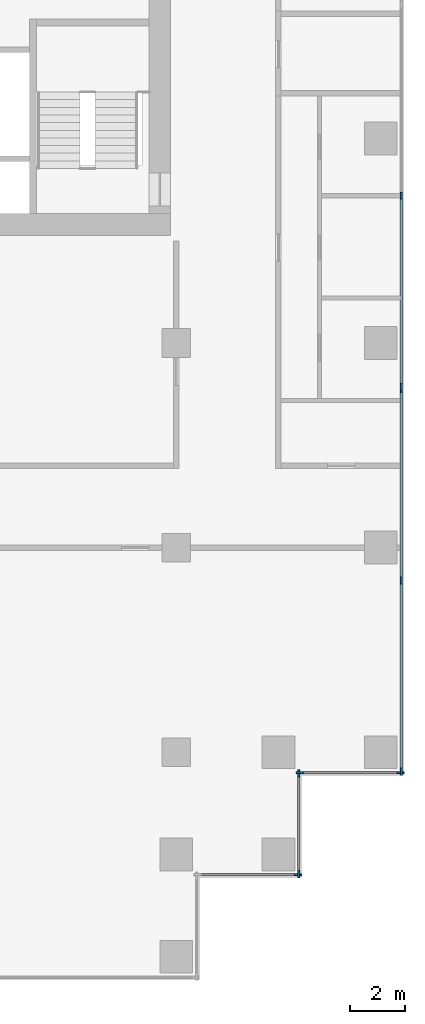
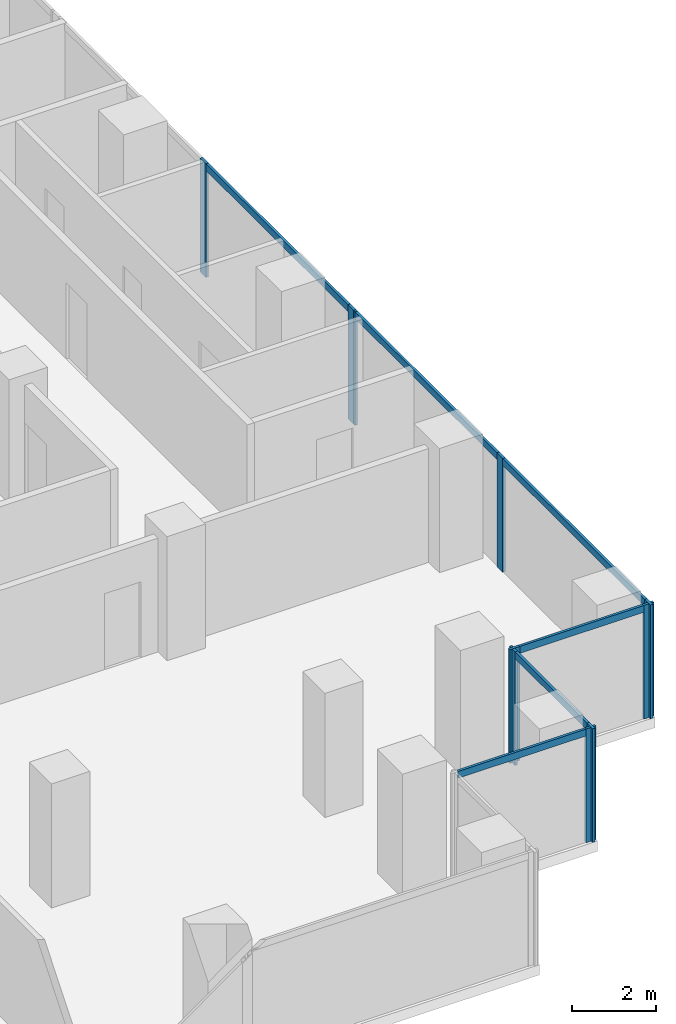
# One storey, part 3 of 10: 16 members, 5 elements without a shape of their own.
"""IFC4 building model written with IfcOpenShell, lengths in metres."""

from ifc_helpers import new_model, si_unit, direction, frame, origin, origin_2d, place, context, subcontext, project, spatial, rectangle, extrude, material, material_profile, profile_set, type_object, element, aggregate, save


model = new_model("IFC4")

# Units and contexts
model_context = context("Model", 3, precision=1e-05, world=origin(), true_north=direction((0.0, 1.0)))
body_context = subcontext(model_context, "Body", "Model", "MODEL_VIEW")
ifc_project = project(units=[si_unit("LENGTHUNIT", "METRE"), si_unit("AREAUNIT", "SQUARE_METRE"), si_unit("VOLUMEUNIT", "CUBIC_METRE"), si_unit("PLANEANGLEUNIT", "RADIAN"), si_unit("MASSUNIT", "GRAM", prefix="KILO")], contexts=[model_context])

# Site, building, storey
site_placement = place(None, origin())
site = spatial("IfcSite", under=ifc_project, at=site_placement, CompositionType="ELEMENT")
building_placement = place(site_placement, origin())
building = spatial("IfcBuilding", under=site, at=building_placement, Name="Pilkhan Gate Tower", CompositionType="ELEMENT")
storey_placement = place(building_placement, frame((0.0, 0.0, 147.699951171875)))
storey = spatial("IfcBuildingStorey", under=building, at=storey_placement, Name="L37", CompositionType="ELEMENT", Elevation=147.699951171875)

# Curtain wall, members
ifc_material_1 = material(Name="Pale anodised aluminium, clear low-iron double glazing", Category="aluminium")
curtain_wall_type = type_object("IfcCurtainWallType", Name="Office unitised curtain wall CW-O1", PredefinedType="USERDEFINED", material=ifc_material_1)
curtain_wall_1_placement = place(storey_placement, origin())
curtain_wall_1 = element("IfcCurtainWall", 1, at=curtain_wall_1_placement, inside=storey, type_object=curtain_wall_type, Name="Office unitised curtain wall CW-O1 L37 E", ObjectType="UNITISED CURTAIN WALL", PredefinedType="USERDEFINED")
ifc_material_2 = material(Name="Pale anodised aluminium", Category="aluminium")
ifc_material_profile_1 = material_profile(ifc_material_2, rectangle(XDim=0.070068359375, YDim=0.27490234375, at=origin_2d()), Name="Mullion 275x70")
ifc_profile_set_1 = profile_set([ifc_material_profile_1], Name="Pale anodised aluminium")
member_type_1 = type_object("IfcMemberType", Name="Mullion CW-O1 275x70", PredefinedType="MULLION", material=ifc_profile_set_1)
member_1_placement = place(storey_placement, frame((98.25, 51.784912109375, 0.0), z_axis=(0.0, 0.0, 1.0), x_axis=(-1.0, 0.0, 0.0)))
member_1 = element("IfcMember", 2, at=member_1_placement, type_object=member_type_1, Name="CW-O1 mullion 1", PredefinedType="MULLION", context=body_context, shape_type="SweptSolid", body=[
    extrude(rectangle(XDim=0.070068359375, YDim=0.27490234375, at=origin_2d()), origin(), (0.0, 0.0, 1.0), 3.300048828125),
])
member_2_placement = place(storey_placement, frame((98.25, 58.800048828125, 0.0), z_axis=(0.0, 0.0, 1.0), x_axis=(-1.0, 0.0, 0.0)))
member_2 = element("IfcMember", 3, at=member_2_placement, type_object=member_type_1, Name="CW-O1 mullion 2", PredefinedType="MULLION", context=body_context, shape_type="SweptSolid", body=[
    extrude(rectangle(XDim=0.070068359375, YDim=0.27490234375, at=origin_2d()), origin(), (0.0, 0.0, 1.0), 3.300048828125),
])
member_3_placement = place(storey_placement, frame((98.25, 65.81494140625, 0.0), z_axis=(0.0, 0.0, 1.0), x_axis=(-1.0, 0.0, 0.0)))
member_3 = element("IfcMember", 4, at=member_3_placement, type_object=member_type_1, Name="CW-O1 mullion 3", PredefinedType="MULLION", context=body_context, shape_type="SweptSolid", body=[
    extrude(rectangle(XDim=0.070068359375, YDim=0.27490234375, at=origin_2d()), origin(), (0.0, 0.0, 1.0), 3.300048828125),
])

curtain_wall_2_placement = place(storey_placement, origin())
curtain_wall_2 = element("IfcCurtainWall", 5, at=curtain_wall_2_placement, inside=storey, type_object=curtain_wall_type, Name="Office unitised curtain wall CW-O1 L37 E", ObjectType="UNITISED CURTAIN WALL", PredefinedType="USERDEFINED")
member_4_placement = place(storey_placement, frame((98.25, 65.885009765625, 0.0), z_axis=(0.0, 0.0, 1.0), x_axis=(-1.0, 0.0, 0.0)))
member_4 = element("IfcMember", 6, at=member_4_placement, type_object=member_type_1, Name="CW-O1 mullion 1", PredefinedType="MULLION", context=body_context, shape_type="SweptSolid", body=[
    extrude(rectangle(XDim=0.070068359375, YDim=0.27490234375, at=origin_2d()), origin(), (0.0, 0.0, 1.0), 3.300048828125),
])
member_5_placement = place(storey_placement, frame((98.25, 72.89990234375, 0.0), z_axis=(0.0, 0.0, 1.0), x_axis=(-1.0, 0.0, 0.0)))
member_5 = element("IfcMember", 7, at=member_5_placement, type_object=member_type_1, Name="CW-O1 mullion 2", PredefinedType="MULLION", context=body_context, shape_type="SweptSolid", body=[
    extrude(rectangle(XDim=0.070068359375, YDim=0.27490234375, at=origin_2d()), origin(), (0.0, 0.0, 1.0), 3.300048828125),
])

# Curtain wall, member
curtain_wall_3_placement = place(storey_placement, origin())
curtain_wall_3 = element("IfcCurtainWall", 8, at=curtain_wall_3_placement, inside=storey, type_object=curtain_wall_type, Name="Office unitised curtain wall CW-O1 L37 S", ObjectType="UNITISED CURTAIN WALL", PredefinedType="USERDEFINED")
member_6_placement = place(storey_placement, frame((94.465087890625, 48.0, 0.0), z_axis=(0.0, 0.0, 1.0), x_axis=(0.0, 1.0, 0.0)))
member_6 = element("IfcMember", 9, at=member_6_placement, type_object=member_type_1, Name="CW-O1 mullion 2", PredefinedType="MULLION", context=body_context, shape_type="SweptSolid", body=[
    extrude(rectangle(XDim=0.070068359375, YDim=0.27490234375, at=origin_2d()), origin(), (0.0, 0.0, 1.0), 3.300048828125),
])

# Curtain wall, members
curtain_wall_4_placement = place(storey_placement, origin())
curtain_wall_4 = element("IfcCurtainWall", 10, at=curtain_wall_4_placement, inside=storey, type_object=curtain_wall_type, Name="Office unitised curtain wall CW-O1 L37 E", ObjectType="UNITISED CURTAIN WALL", PredefinedType="USERDEFINED")
member_7_placement = place(storey_placement, frame((94.5, 48.034912109375, 0.0), z_axis=(0.0, 0.0, 1.0), x_axis=(-1.0, 0.0, 0.0)))
member_7 = element("IfcMember", 11, at=member_7_placement, type_object=member_type_1, Name="CW-O1 mullion 1", PredefinedType="MULLION", context=body_context, shape_type="SweptSolid", body=[
    extrude(rectangle(XDim=0.070068359375, YDim=0.27490234375, at=origin_2d()), origin(), (0.0, 0.0, 1.0), 3.300048828125),
])
member_8_placement = place(storey_placement, frame((94.5, 51.715087890625, 0.0), z_axis=(0.0, 0.0, 1.0), x_axis=(-1.0, 0.0, 0.0)))
member_8 = element("IfcMember", 12, at=member_8_placement, type_object=member_type_1, Name="CW-O1 mullion 2", PredefinedType="MULLION", context=body_context, shape_type="SweptSolid", body=[
    extrude(rectangle(XDim=0.070068359375, YDim=0.27490234375, at=origin_2d()), origin(), (0.0, 0.0, 1.0), 3.300048828125),
])

curtain_wall_5_placement = place(storey_placement, origin())
curtain_wall_5 = element("IfcCurtainWall", 13, at=curtain_wall_5_placement, inside=storey, type_object=curtain_wall_type, Name="Office unitised curtain wall CW-O1 L37 S", ObjectType="UNITISED CURTAIN WALL", PredefinedType="USERDEFINED")
member_9_placement = place(storey_placement, frame((94.534912109375, 51.75, 0.0), z_axis=(0.0, 0.0, 1.0), x_axis=(0.0, 1.0, 0.0)))
member_9 = element("IfcMember", 14, at=member_9_placement, type_object=member_type_1, Name="CW-O1 mullion 1", PredefinedType="MULLION", context=body_context, shape_type="SweptSolid", body=[
    extrude(rectangle(XDim=0.070068359375, YDim=0.27490234375, at=origin_2d()), origin(), (0.0, 0.0, 1.0), 3.300048828125),
])
member_10_placement = place(storey_placement, frame((98.215087890625, 51.75, 0.0), z_axis=(0.0, 0.0, 1.0), x_axis=(0.0, 1.0, 0.0)))
member_10 = element("IfcMember", 15, at=member_10_placement, type_object=member_type_1, Name="CW-O1 mullion 2", PredefinedType="MULLION", context=body_context, shape_type="SweptSolid", body=[
    extrude(rectangle(XDim=0.070068359375, YDim=0.27490234375, at=origin_2d()), origin(), (0.0, 0.0, 1.0), 3.300048828125),
])

# Member
ifc_material_profile_2 = material_profile(ifc_material_2, rectangle(XDim=0.070068359375, YDim=0.199951171875, at=origin_2d()), Name="Transom 200x70")
ifc_profile_set_2 = profile_set([ifc_material_profile_2], Name="Pale anodised aluminium")
member_type_2 = type_object("IfcMemberType", Name="Transom CW-O1 200x70", PredefinedType="USERDEFINED", material=ifc_profile_set_2)
member_11_placement = place(storey_placement, frame((98.25, 51.820068359375, 3.199951171875), z_axis=(0.0, 1.0, 0.0), x_axis=(-1.0, 0.0, 0.0)))
member_11 = element("IfcMember", 16, at=member_11_placement, type_object=member_type_2, Name="CW-O1 transom 1", ObjectType="TRANSOM", PredefinedType="USERDEFINED", context=body_context, shape_type="SweptSolid", body=[
    extrude(rectangle(XDim=0.070068359375, YDim=0.199951171875, at=origin_2d()), origin(), (0.0, 0.0, 1.0), 6.94482421875),
])

member_12_placement = place(storey_placement, frame((98.25, 58.8349609375, 3.199951171875), z_axis=(0.0, 1.0, 0.0), x_axis=(-1.0, 0.0, 0.0)))
member_12 = element("IfcMember", 17, at=member_12_placement, type_object=member_type_2, Name="CW-O1 transom 2", ObjectType="TRANSOM", PredefinedType="USERDEFINED", context=body_context, shape_type="SweptSolid", body=[
    extrude(rectangle(XDim=0.070068359375, YDim=0.199951171875, at=origin_2d()), origin(), (0.0, 0.0, 1.0), 6.945068359375),
])

aggregate(curtain_wall_1, [member_1, member_2, member_3, member_11, member_12])

member_13_placement = place(storey_placement, frame((98.25, 65.919921875, 3.199951171875), z_axis=(0.0, 1.0, 0.0), x_axis=(-1.0, 0.0, 0.0)))
member_13 = element("IfcMember", 18, at=member_13_placement, type_object=member_type_2, Name="CW-O1 transom 1", ObjectType="TRANSOM", PredefinedType="USERDEFINED", context=body_context, shape_type="SweptSolid", body=[
    extrude(rectangle(XDim=0.070068359375, YDim=0.199951171875, at=origin_2d()), origin(), (0.0, 0.0, 1.0), 6.945068359375),
])

aggregate(curtain_wall_2, [member_4, member_5, member_13])

member_14_placement = place(storey_placement, frame((90.820068359375, 48.0, 3.199951171875), z_axis=(1.0, 0.0, 0.0), x_axis=(0.0, 1.0, 0.0)))
member_14 = element("IfcMember", 19, at=member_14_placement, type_object=member_type_2, Name="CW-O1 transom 1", ObjectType="TRANSOM", PredefinedType="USERDEFINED", context=body_context, shape_type="SweptSolid", body=[
    extrude(rectangle(XDim=0.070068359375, YDim=0.199951171875, at=origin_2d()), origin(), (0.0, 0.0, 1.0), 3.60986328125),
])

aggregate(curtain_wall_3, [member_6, member_14])

member_15_placement = place(storey_placement, frame((94.5, 48.070068359375, 3.199951171875), z_axis=(0.0, 1.0, 0.0), x_axis=(-1.0, 0.0, 0.0)))
member_15 = element("IfcMember", 20, at=member_15_placement, type_object=member_type_2, Name="CW-O1 transom 1", ObjectType="TRANSOM", PredefinedType="USERDEFINED", context=body_context, shape_type="SweptSolid", body=[
    extrude(rectangle(XDim=0.070068359375, YDim=0.199951171875, at=origin_2d()), origin(), (0.0, 0.0, 1.0), 3.60986328125),
])

aggregate(curtain_wall_4, [member_7, member_8, member_15])

member_16_placement = place(storey_placement, frame((94.570068359375, 51.75, 3.199951171875), z_axis=(1.0, 0.0, 0.0), x_axis=(0.0, 1.0, 0.0)))
member_16 = element("IfcMember", 21, at=member_16_placement, type_object=member_type_2, Name="CW-O1 transom 1", ObjectType="TRANSOM", PredefinedType="USERDEFINED", context=body_context, shape_type="SweptSolid", body=[
    extrude(rectangle(XDim=0.070068359375, YDim=0.199951171875, at=origin_2d()), origin(), (0.0, 0.0, 1.0), 3.60986328125),
])

aggregate(curtain_wall_5, [member_9, member_10, member_16])

save(model, "model.ifc")
